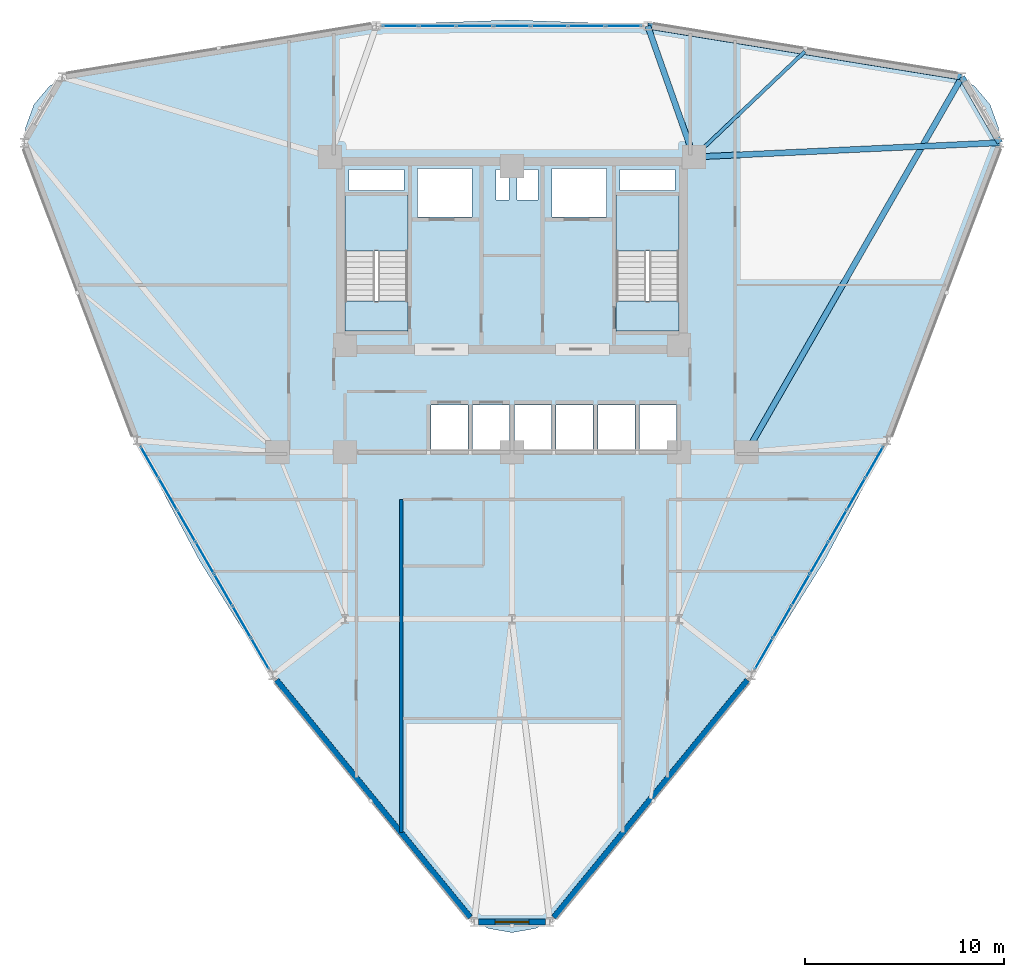
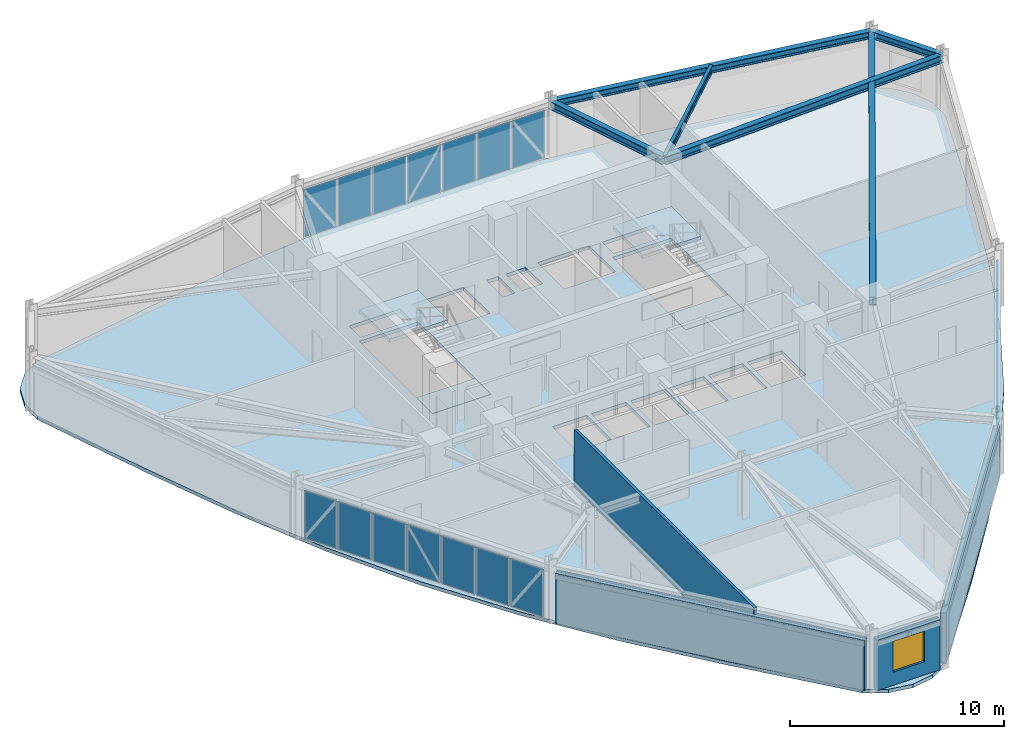
# One storey, part 9 of 17: 21 plates, 6 beams, 5 slabs, 4 walls, 1 window, 1 opening, 5 elements without a shape of their own.
"""IFC4 building model written with IfcOpenShell, lengths in metres."""

from ifc_helpers import new_model, si_unit, derived_unit, direction, frame, frame_2d, origin, origin_2d, place, context, subcontext, project, spatial, polyline, rectangle, i_section, outline, extrude, source, transform, mapped, material, layer, layer_set, material_profile, profile_set, type_object, element, fill, aggregate, save


model = new_model("IFC4")

# Units and contexts
model_context = context("Model", 3, precision=1e-05, world=origin(), true_north=direction((0.0, 1.0)))
body_context = subcontext(model_context, "Body", "Model", "MODEL_VIEW")
ifc_project = project(units=[si_unit("LENGTHUNIT", "METRE"), si_unit("AREAUNIT", "SQUARE_METRE"), si_unit("VOLUMEUNIT", "CUBIC_METRE"), si_unit("PLANEANGLEUNIT", "RADIAN"), si_unit("MASSUNIT", "GRAM", prefix="KILO"), derived_unit("THERMALTRANSMITTANCEUNIT", [(si_unit("POWERUNIT", "WATT"), 1), (si_unit("LENGTHUNIT", "METRE"), -2), (si_unit("THERMODYNAMICTEMPERATUREUNIT", "KELVIN"), -1)])], contexts=[model_context])

# Site, building, storey
site_placement = place(None, origin())
site = spatial("IfcSite", under=ifc_project, at=site_placement, CompositionType="ELEMENT")
building_placement = place(site_placement, origin())
building = spatial("IfcBuilding", under=site, at=building_placement, Name="Korsvarv Bourse and Concert Hall", CompositionType="ELEMENT")
storey_placement = place(building_placement, frame((0.0, 0.0, 127.800048828125)))
storey = spatial("IfcBuildingStorey", under=building, at=storey_placement, Name="L32", CompositionType="ELEMENT", Elevation=127.800048828125)

# Beams
ifc_material_1 = material(Name="Steel S355", Category="steel")
ifc_material_profile_1 = material_profile(ifc_material_1, i_section(OverallWidth=0.300048828125, OverallDepth=0.39990234375, WebThickness=0.013427734375, FlangeThickness=0.02392578125, FilletRadius=0.02099609375, at=origin_2d()), Name="HEB 400")
ifc_profile_set_1 = profile_set([ifc_material_profile_1], Name="Steel S355")
beam_type_1 = type_object("IfcBeamType", Name="BM-HEB400", PredefinedType="SPANDREL", material=ifc_profile_set_1)
shared_shape_1 = source(origin(), body_context, "Body", "SweptSolid", [
    extrude(i_section(OverallWidth=0.300048828125, OverallDepth=0.39990234375, WebThickness=0.013427734375, FlangeThickness=0.02392578125, FilletRadius=0.02099609375, at=origin_2d()), origin(), (0.0, 0.0, 1.0), 3.81591796875),
])
beam_1_placement = place(storey_placement, frame((60.541748046875, 47.966064453125, 3.06005859375), z_axis=(-0.499999364504, 0.866025770688, 0.0), x_axis=(-0.866025770688, -0.499999364504, 0.0)))
element("IfcBeam", 1, at=beam_1_placement, inside=storey, type_object=beam_type_1, Name="L32 beam B-09", PredefinedType="SPANDREL", context=body_context, shape_type="MappedRepresentation", body=[
    mapped(shared_shape_1, transform((0.0, 0.0, 0.0), scale=1.0)),
])
shared_shape_2 = source(origin(), body_context, "Body", "SweptSolid", [
    extrude(i_section(OverallWidth=0.300048828125, OverallDepth=0.39990234375, WebThickness=0.013427734375, FlangeThickness=0.02392578125, FilletRadius=0.02099609375, at=origin_2d()), origin(), (0.0, 0.0, 1.0), 16.014892578125),
])
beam_2_placement = place(storey_placement, frame((58.6337890625, 51.270751953125, 3.06005859375), z_axis=(-0.98703396265, 0.160511546547, 0.0), x_axis=(-0.160511546547, -0.98703396265, 0.0)))
element("IfcBeam", 2, at=beam_2_placement, inside=storey, type_object=beam_type_1, Name="L32 beam B-09", PredefinedType="SPANDREL", context=body_context, shape_type="MappedRepresentation", body=[
    mapped(shared_shape_2, transform((0.0, 0.0, 0.0), scale=1.0)),
])
ifc_material_profile_2 = material_profile(ifc_material_1, i_section(OverallWidth=0.300048828125, OverallDepth=0.449951171875, WebThickness=0.013916015625, FlangeThickness=0.02587890625, FilletRadius=0.02099609375, at=origin_2d()), Name="HEB 450")
ifc_profile_set_2 = profile_set([ifc_material_profile_2], Name="Steel S355")
beam_type_2 = type_object("IfcBeamType", Name="BM-HEB450", PredefinedType="SPANDREL", material=ifc_profile_set_2)
shared_shape_3 = source(origin(), body_context, "Body", "SweptSolid", [
    extrude(i_section(OverallWidth=0.300048828125, OverallDepth=0.449951171875, WebThickness=0.013916015625, FlangeThickness=0.02587890625, FilletRadius=0.02099609375, at=origin_2d()), origin(), (0.0, 0.0, 1.0), 15.408447265625),
])
beam_3_placement = place(storey_placement, frame((60.541748046875, 47.966064453125, 3.034912109375), z_axis=(-0.998919590077, -0.046472062141, 0.0), x_axis=(0.046472062141, -0.998919590077, 0.0)))
element("IfcBeam", 3, at=beam_3_placement, inside=storey, type_object=beam_type_2, Name="L32 beam B-08", PredefinedType="SPANDREL", context=body_context, shape_type="MappedRepresentation", body=[
    mapped(shared_shape_3, transform((0.0, 0.0, 0.0), scale=1.0)),
])
shared_shape_4 = source(origin(), body_context, "Body", "SweptSolid", [
    extrude(i_section(OverallWidth=0.300048828125, OverallDepth=0.449951171875, WebThickness=0.013916015625, FlangeThickness=0.02587890625, FilletRadius=0.02099609375, at=origin_2d()), origin(), (0.0, 0.0, 1.0), 21.759521484375),
])
beam_4_placement = place(storey_placement, frame((58.6337890625, 51.270751953125, 3.034912109375), z_axis=(-0.497883927271, -0.867243676809, 0.0), x_axis=(0.867243676809, -0.497883927271, 0.0)))
element("IfcBeam", 4, at=beam_4_placement, inside=storey, type_object=beam_type_2, Name="L32 beam B-08", PredefinedType="SPANDREL", context=body_context, shape_type="MappedRepresentation", body=[
    mapped(shared_shape_4, transform((0.0, 0.0, 0.0), scale=1.0)),
])
shared_shape_5 = source(origin(), body_context, "Body", "SweptSolid", [
    extrude(i_section(OverallWidth=0.300048828125, OverallDepth=0.449951171875, WebThickness=0.013916015625, FlangeThickness=0.02587890625, FilletRadius=0.02099609375, at=origin_2d()), origin(), (0.0, 0.0, 1.0), 6.98876953125),
])
beam_5_placement = place(storey_placement, frame((42.82666015625, 53.84130859375, 3.034912109375), z_axis=(0.332425395901, -0.943129554282, 0.0), x_axis=(0.943129554282, 0.332425395901, 0.0)))
element("IfcBeam", 5, at=beam_5_placement, inside=storey, type_object=beam_type_2, Name="L32 beam B-08", PredefinedType="SPANDREL", context=body_context, shape_type="MappedRepresentation", body=[
    mapped(shared_shape_5, transform((0.0, 0.0, 0.0), scale=1.0)),
])
ifc_material_profile_3 = material_profile(ifc_material_1, i_section(OverallWidth=0.179931640625, OverallDepth=0.39990234375, WebThickness=0.008544921875, FlangeThickness=0.013427734375, FilletRadius=0.02099609375, at=origin_2d()), Name="IPE 400")
ifc_profile_set_3 = profile_set([ifc_material_profile_3], Name="Steel S355")
beam_type_3 = type_object("IfcBeamType", Name="BM-IPE400", PredefinedType="JOIST", material=ifc_profile_set_3)
shared_shape_6 = source(origin(), body_context, "Body", "SweptSolid", [
    extrude(i_section(OverallWidth=0.179931640625, OverallDepth=0.39990234375, WebThickness=0.008544921875, FlangeThickness=0.013427734375, FilletRadius=0.02099609375, at=origin_2d()), origin(), (0.0, 0.0, 1.0), 7.7001953125),
])
beam_6_placement = place(storey_placement, frame((50.730224609375, 52.555908203125, 3.06005859375), z_axis=(-0.724700930446, -0.689063539458, 0.0), x_axis=(0.689063539458, -0.724700930446, 0.0)))
element("IfcBeam", 6, at=beam_6_placement, inside=storey, type_object=beam_type_3, Name="L32 beam J-05", PredefinedType="JOIST", context=body_context, shape_type="MappedRepresentation", body=[
    mapped(shared_shape_6, transform((0.0, 0.0, 0.0), scale=1.0)),
])

# Slabs
ifc_material_2 = material(Name="Precast concrete C45/55", Category="concrete")
ifc_layer_1 = layer(ifc_material_2, 0.199951171875)
ifc_layer_set_1 = layer_set([ifc_layer_1], Name="Precast concrete C45/55")
slab_type_1 = type_object("IfcSlabType", Name="SLB-FLND-T", PredefinedType="LANDING", material=ifc_layer_set_1)
slab_1_placement = place(storey_placement, frame((0.0, 0.0, -0.199951171875)))
element("IfcSlab", 7, at=slab_1_placement, inside=storey, type_object=slab_type_1, Name="L32 Stair ST-T1 Floor Landing Slab", PredefinedType="LANDING", context=body_context, shape_type="SweptSolid", body=[
    extrude(outline(polyline([(30.760009765625, 38.5), (30.760009765625, 40.0), (27.60009765625, 40.0), (27.60009765625, 38.5), (30.760009765625, 38.5)])), origin(), (0.0, 0.0, 1.0), 0.199951171875),
])
slab_2_placement = place(storey_placement, frame((0.0, 0.0, -0.199951171875)))
element("IfcSlab", 8, at=slab_2_placement, inside=storey, type_object=slab_type_1, Name="L32 Stair ST-T2 Floor Landing Slab", PredefinedType="LANDING", context=body_context, shape_type="SweptSolid", body=[
    extrude(outline(polyline([(44.39990234375, 38.5), (44.39990234375, 40.0), (41.239990234375, 40.0), (41.239990234375, 38.5), (44.39990234375, 38.5)])), origin(), (0.0, 0.0, 1.0), 0.199951171875),
])

# Stair, slab
stair_type = type_object("IfcStairType", Name="STR-TYPE-04", PredefinedType="HALF_TURN_STAIR", material=ifc_material_2)
stair_1_placement = place(storey_placement, origin())
stair_1 = element("IfcStair", 9, at=stair_1_placement, inside=storey, type_object=stair_type, Name="L32 Tower West Exit Stair ST-T1", PredefinedType="HALF_TURN_STAIR")
ifc_layer_2 = layer(ifc_material_2, 0.199951171875)
ifc_layer_set_2 = layer_set([ifc_layer_2], Name="Precast concrete C45/55")
slab_type_2 = type_object("IfcSlabType", Name="SLB-ST-LND", PredefinedType="LANDING", material=ifc_layer_set_2)
slab_3_placement = place(storey_placement, frame((0.0, 0.0, 1.599853515625)))
slab_3 = element("IfcSlab", 10, at=slab_3_placement, type_object=slab_type_2, Name="ST-T1 landing 1", PredefinedType="LANDING", context=body_context, shape_type="SweptSolid", body=[
    extrude(outline(polyline([(30.760009765625, 42.52001953125), (30.760009765625, 45.300048828125), (27.60009765625, 45.300048828125), (27.60009765625, 42.52001953125), (30.760009765625, 42.52001953125)])), origin(), (0.0, 0.0, 1.0), 0.2001953125),
])
aggregate(stair_1, [slab_3])

stair_2_placement = place(storey_placement, origin())
stair_2 = element("IfcStair", 11, at=stair_2_placement, inside=storey, type_object=stair_type, Name="L32 Tower East Exit Stair ST-T2", PredefinedType="HALF_TURN_STAIR")
slab_4_placement = place(storey_placement, frame((0.0, 0.0, 1.599853515625)))
slab_4 = element("IfcSlab", 12, at=slab_4_placement, type_object=slab_type_2, Name="ST-T2 landing 1", PredefinedType="LANDING", context=body_context, shape_type="SweptSolid", body=[
    extrude(outline(polyline([(44.39990234375, 42.52001953125), (44.39990234375, 45.300048828125), (41.239990234375, 45.300048828125), (41.239990234375, 42.52001953125), (44.39990234375, 42.52001953125)])), origin(), (0.0, 0.0, 1.0), 0.2001953125),
])
aggregate(stair_2, [slab_4])

# Slab
ifc_material_3 = material(Name="Concrete C45/55", Category="concrete")
ifc_layer_3 = layer(ifc_material_3, 0.199951171875)
ifc_layer_set_3 = layer_set([ifc_layer_3], Name="Concrete C45/55")
slab_type_3 = type_object("IfcSlabType", Name="SLB-TW2", PredefinedType="FLOOR", material=ifc_layer_set_3)
slab_5_placement = place(storey_placement, frame((0.0, 0.0, -0.199951171875)))
element("IfcSlab", 13, at=slab_5_placement, inside=storey, type_object=slab_type_3, Name="L32 tower structural floor slab", PredefinedType="FLOOR", context=body_context, shape_type="SweptSolid", body=[
    extrude(outline(polyline([(59.994140625, 46.2314453125), (58.197265625, 41.2158203125), (56.282958984375, 36.29345703125), (54.14501953125, 31.52001953125), (51.7109375, 26.92919921875), (48.9521484375, 22.52587890625), (45.887451171875, 18.287841796875), (42.58154296875, 14.168701171875), (39.13623046875, 10.104736328125), (39.133544921875, 10.101318359375), (38.251708984375, 9.050537109375), (37.197998046875, 8.442138671875), (36.0, 8.23095703125), (34.802001953125, 8.442138671875), (33.748291015625, 9.050537109375), (32.866455078125, 10.101318359375), (32.86376953125, 10.104736328125), (29.41845703125, 14.168701171875), (26.112548828125, 18.287841796875), (23.0478515625, 22.52587890625), (20.2890625, 26.92919921875), (17.85498046875, 31.52001953125), (15.717041015625, 36.29345703125), (13.802734375, 41.2158203125), (12.005859375, 46.2314453125), (12.00439453125, 46.235595703125), (11.53515625, 47.524658203125), (11.53515625, 48.7412109375), (11.951416015625, 49.884521484375), (12.7333984375, 50.81640625), (13.786865234375, 51.4248046875), (15.1376953125, 51.6630859375), (15.14208984375, 51.663818359375), (20.384521484375, 52.615478515625), (25.6044921875, 53.4189453125), (30.807373046875, 53.953857421875), (36.0, 54.141357421875), (41.192626953125, 53.953857421875), (46.3955078125, 53.4189453125), (51.615478515625, 52.615478515625), (56.85791015625, 51.663818359375), (56.8623046875, 51.6630859375), (58.213134765625, 51.4248046875), (59.2666015625, 50.81640625), (60.048583984375, 49.884521484375), (60.46484375, 48.7412109375), (60.46484375, 47.524658203125), (59.99560546875, 46.235595703125), (59.994140625, 46.2314453125)]), holes=[polyline([(30.760009765625, 38.5), (30.760009765625, 45.300048828125), (27.60009765625, 45.300048828125), (27.60009765625, 38.5), (30.760009765625, 38.5)]), polyline([(44.39990234375, 38.5), (44.39990234375, 45.300048828125), (41.239990234375, 45.300048828125), (41.239990234375, 38.5), (44.39990234375, 38.5)]), polyline([(31.239990234375, 44.219970703125), (34.0, 44.219970703125), (34.0, 46.679931640625), (31.239990234375, 46.679931640625), (31.239990234375, 44.219970703125)]), polyline([(38.0, 44.219970703125), (40.760009765625, 44.219970703125), (40.760009765625, 46.679931640625), (38.0, 46.679931640625), (38.0, 44.219970703125)]), polyline([(31.919921875, 32.52001953125), (33.780029296875, 32.52001953125), (33.780029296875, 34.780029296875), (31.919921875, 34.780029296875), (31.919921875, 32.52001953125)]), polyline([(34.02001953125, 32.52001953125), (35.8798828125, 32.52001953125), (35.8798828125, 34.780029296875), (34.02001953125, 34.780029296875), (34.02001953125, 32.52001953125)]), polyline([(36.1201171875, 32.52001953125), (37.97998046875, 32.52001953125), (37.97998046875, 34.780029296875), (36.1201171875, 34.780029296875), (36.1201171875, 32.52001953125)]), polyline([(38.219970703125, 32.52001953125), (40.080078125, 32.52001953125), (40.080078125, 34.780029296875), (38.219970703125, 34.780029296875), (38.219970703125, 32.52001953125)]), polyline([(40.320068359375, 32.52001953125), (42.179931640625, 32.52001953125), (42.179931640625, 34.780029296875), (40.320068359375, 34.780029296875), (40.320068359375, 32.52001953125)]), polyline([(42.419921875, 32.52001953125), (44.280029296875, 32.52001953125), (44.280029296875, 34.780029296875), (42.419921875, 34.780029296875), (42.419921875, 32.52001953125)]), polyline([(27.800048828125, 45.56005859375), (30.56005859375, 45.56005859375), (30.56005859375, 46.6201171875), (27.800048828125, 46.6201171875), (27.800048828125, 45.56005859375)]), polyline([(41.43994140625, 45.56005859375), (44.199951171875, 45.56005859375), (44.199951171875, 46.6201171875), (41.43994140625, 46.6201171875), (41.43994140625, 45.56005859375)]), polyline([(35.199951171875, 45.080078125), (35.840087890625, 45.080078125), (35.840087890625, 46.6201171875), (35.199951171875, 46.6201171875), (35.199951171875, 45.080078125)]), polyline([(36.239990234375, 45.080078125), (37.320068359375, 45.080078125), (37.320068359375, 46.6201171875), (36.239990234375, 46.6201171875), (36.239990234375, 45.080078125)])]), origin(), (0.0, 0.0, 1.0), 0.199951171875),
])

# Curtain wall, plates
ifc_material_4 = material(Name="Anodised aluminium and triple low-E glazing", Category="glass")
ifc_layer_4 = layer(ifc_material_4, 0.2099609375)
ifc_layer_set_4 = layer_set([ifc_layer_4], Name="Anodised aluminium and triple low-E glazing")
curtain_wall_type = type_object("IfcCurtainWallType", Name="CW-SYS-2", PredefinedType="NOTDEFINED", material=ifc_layer_set_4)
curtain_wall_1_placement = place(storey_placement, origin())
curtain_wall_1 = element("IfcCurtainWall", 14, at=curtain_wall_1_placement, inside=storey, type_object=curtain_wall_type, Name="L32 CW2 curtain wall CW-L32-F03", PredefinedType="NOTDEFINED")
ifc_material_5 = material(Name="Insulated spandrel glass", Category="glass")
ifc_layer_5 = layer(ifc_material_5, 0.031982421875)
ifc_layer_set_5 = layer_set([ifc_layer_5], Name="Insulated spandrel glass")
plate_type_1 = type_object("IfcPlateType", Name="CWP-SPD1", PredefinedType="CURTAIN_PANEL", material=ifc_layer_set_5)
shared_shape_7 = source(origin(), body_context, "Body", "SweptSolid", [
    extrude(rectangle(XDim=1.771484375, YDim=0.031982421875, at=origin_2d()), origin(), (0.0, 0.0, 1.0), 2.72998046875),
])
plate_1_placement = place(storey_placement, frame((41.612060546875, 53.84130859375, 0.06494140625), z_axis=(0.0, 0.0, 1.0), x_axis=(-1.0, 0.0, 0.0)))
plate_1 = element("IfcPlate", 15, at=plate_1_placement, type_object=plate_type_1, Name="CW2 spandrel shadow-box panel 1.1", PredefinedType="CURTAIN_PANEL", context=body_context, shape_type="MappedRepresentation", body=[
    mapped(shared_shape_7, transform((0.0, 0.0, 0.0), scale=1.0)),
])
plate_2_placement = place(storey_placement, frame((30.387939453125, 53.84130859375, 0.06494140625), z_axis=(0.0, 0.0, 1.0), x_axis=(-1.0, 0.0, 0.0)))
plate_2 = element("IfcPlate", 16, at=plate_2_placement, type_object=plate_type_1, Name="CW2 spandrel shadow-box panel 7.1", PredefinedType="CURTAIN_PANEL", context=body_context, shape_type="MappedRepresentation", body=[
    mapped(shared_shape_7, transform((0.0, 0.0, 0.0), scale=1.0)),
])
ifc_material_6 = material(Name="Tempered triple insulated low-E architectural glass", Category="glass")
ifc_layer_6 = layer(ifc_material_6, 0.0380859375)
ifc_layer_set_6 = layer_set([ifc_layer_6], Name="Tempered triple insulated low-E architectural glass")
plate_type_2 = type_object("IfcPlateType", Name="CWP-VIS2", PredefinedType="CURTAIN_PANEL", material=ifc_layer_set_6)
shared_shape_8 = source(origin(), body_context, "Body", "SweptSolid", [
    extrude(rectangle(XDim=1.806396484375, YDim=0.0380859375, at=origin_2d()), origin(), (0.0, 0.0, 1.0), 2.72998046875),
])
plate_3_placement = place(storey_placement, frame((39.7529296875, 53.84130859375, 0.06494140625), z_axis=(0.0, 0.0, 1.0), x_axis=(-1.0, 0.0, 0.0)))
plate_3 = element("IfcPlate", 17, at=plate_3_placement, type_object=plate_type_2, Name="CW2 faceted panel 2.1", PredefinedType="CURTAIN_PANEL", context=body_context, shape_type="MappedRepresentation", body=[
    mapped(shared_shape_8, transform((0.0, 0.0, 0.0), scale=1.0)),
])
plate_4_placement = place(storey_placement, frame((37.87646484375, 53.84130859375, 0.06494140625), z_axis=(0.0, 0.0, 1.0), x_axis=(-1.0, 0.0, 0.0)))
plate_4 = element("IfcPlate", 18, at=plate_4_placement, type_object=plate_type_2, Name="CW2 faceted panel 3.1", PredefinedType="CURTAIN_PANEL", context=body_context, shape_type="MappedRepresentation", body=[
    mapped(shared_shape_8, transform((0.0, 0.0, 0.0), scale=1.0)),
])
plate_5_placement = place(storey_placement, frame((34.12353515625, 53.84130859375, 0.06494140625), z_axis=(0.0, 0.0, 1.0), x_axis=(-1.0, 0.0, 0.0)))
plate_5 = element("IfcPlate", 19, at=plate_5_placement, type_object=plate_type_2, Name="CW2 faceted panel 5.1", PredefinedType="CURTAIN_PANEL", context=body_context, shape_type="MappedRepresentation", body=[
    mapped(shared_shape_8, transform((0.0, 0.0, 0.0), scale=1.0)),
])
plate_6_placement = place(storey_placement, frame((32.2470703125, 53.84130859375, 0.06494140625), z_axis=(0.0, 0.0, 1.0), x_axis=(-1.0, 0.0, 0.0)))
plate_6 = element("IfcPlate", 20, at=plate_6_placement, type_object=plate_type_2, Name="CW2 faceted panel 6.1", PredefinedType="CURTAIN_PANEL", context=body_context, shape_type="MappedRepresentation", body=[
    mapped(shared_shape_8, transform((0.0, 0.0, 0.0), scale=1.0)),
])
shared_shape_9 = source(origin(), body_context, "Body", "SweptSolid", [
    extrude(rectangle(XDim=1.806396484375, YDim=0.031982421875, at=origin_2d()), origin(), (0.0, 0.0, 1.0), 2.72998046875),
])
plate_7_placement = place(storey_placement, frame((36.0, 53.84130859375, 0.06494140625), z_axis=(0.0, 0.0, 1.0), x_axis=(-1.0, 0.0, 0.0)))
plate_7 = element("IfcPlate", 21, at=plate_7_placement, type_object=plate_type_1, Name="CW2 spandrel shadow-box panel 4.1", PredefinedType="CURTAIN_PANEL", context=body_context, shape_type="MappedRepresentation", body=[
    mapped(shared_shape_9, transform((0.0, 0.0, 0.0), scale=1.0)),
])
aggregate(curtain_wall_1, [plate_1, plate_3, plate_4, plate_7, plate_5, plate_6, plate_2])

curtain_wall_2_placement = place(storey_placement, origin())
curtain_wall_2 = element("IfcCurtainWall", 22, at=curtain_wall_2_placement, inside=storey, type_object=curtain_wall_type, Name="L32 CW2 curtain wall CW-L32-F07", PredefinedType="NOTDEFINED")
shared_shape_10 = source(origin(), body_context, "Body", "SweptSolid", [
    extrude(rectangle(XDim=1.75390625, YDim=0.031982421875, at=origin_2d()), origin(), (0.0, 0.0, 1.0), 2.72998046875),
])
plate_8_placement = place(storey_placement, frame((17.769287109375, 31.893798828125, 0.06494140625), z_axis=(0.0, 0.0, 1.0), x_axis=(0.500007166863, -0.866021265954, 0.0)))
plate_8 = element("IfcPlate", 23, at=plate_8_placement, type_object=plate_type_1, Name="CW2 spandrel shadow-box panel 1.1", PredefinedType="CURTAIN_PANEL", context=body_context, shape_type="MappedRepresentation", body=[
    mapped(shared_shape_10, transform((0.0, 0.0, 0.0), scale=1.0)),
])
plate_9_placement = place(storey_placement, frame((23.328857421875, 22.264892578125, 0.06494140625), z_axis=(0.0, 0.0, 1.0), x_axis=(0.500007166863, -0.866021265954, 0.0)))
plate_9 = element("IfcPlate", 24, at=plate_9_placement, type_object=plate_type_1, Name="CW2 spandrel shadow-box panel 7.1", PredefinedType="CURTAIN_PANEL", context=body_context, shape_type="MappedRepresentation", body=[
    mapped(shared_shape_10, transform((0.0, 0.0, 0.0), scale=1.0)),
])

curtain_wall_3_placement = place(storey_placement, origin())
curtain_wall_3 = element("IfcCurtainWall", 25, at=curtain_wall_3_placement, inside=storey, type_object=curtain_wall_type, Name="L32 CW2 curtain wall CW-L32-F11", PredefinedType="NOTDEFINED")
plate_10_placement = place(storey_placement, frame((48.671142578125, 22.264892578125, 0.06494140625), z_axis=(0.0, 0.0, 1.0), x_axis=(0.500007166863, 0.866021265954, 0.0)))
plate_10 = element("IfcPlate", 26, at=plate_10_placement, type_object=plate_type_1, Name="CW2 spandrel shadow-box panel 1.1", PredefinedType="CURTAIN_PANEL", context=body_context, shape_type="MappedRepresentation", body=[
    mapped(shared_shape_10, transform((0.0, 0.0, 0.0), scale=1.0)),
])
plate_11_placement = place(storey_placement, frame((54.230712890625, 31.893798828125, 0.06494140625), z_axis=(0.0, 0.0, 1.0), x_axis=(0.500007166863, 0.866021265954, 0.0)))
plate_11 = element("IfcPlate", 27, at=plate_11_placement, type_object=plate_type_1, Name="CW2 spandrel shadow-box panel 7.1", PredefinedType="CURTAIN_PANEL", context=body_context, shape_type="MappedRepresentation", body=[
    mapped(shared_shape_10, transform((0.0, 0.0, 0.0), scale=1.0)),
])

# Plate
shared_shape_11 = source(origin(), body_context, "Body", "SweptSolid", [
    extrude(rectangle(XDim=1.7890625, YDim=0.0380859375, at=origin_2d()), origin(), (0.0, 0.0, 1.0), 2.72998046875),
])
plate_12_placement = place(storey_placement, frame((18.690185546875, 30.299072265625, 0.06494140625), z_axis=(0.0, 0.0, 1.0), x_axis=(0.500007166863, -0.866021265954, 0.0)))
plate_12 = element("IfcPlate", 28, at=plate_12_placement, type_object=plate_type_2, Name="CW2 faceted panel 2.1", PredefinedType="CURTAIN_PANEL", context=body_context, shape_type="MappedRepresentation", body=[
    mapped(shared_shape_11, transform((0.0, 0.0, 0.0), scale=1.0)),
])

plate_13_placement = place(storey_placement, frame((19.61962890625, 28.689208984375, 0.06494140625), z_axis=(0.0, 0.0, 1.0), x_axis=(0.500007166863, -0.866021265954, 0.0)))
plate_13 = element("IfcPlate", 29, at=plate_13_placement, type_object=plate_type_2, Name="CW2 faceted panel 3.1", PredefinedType="CURTAIN_PANEL", context=body_context, shape_type="MappedRepresentation", body=[
    mapped(shared_shape_11, transform((0.0, 0.0, 0.0), scale=1.0)),
])

plate_14_placement = place(storey_placement, frame((21.478515625, 25.469482421875, 0.06494140625), z_axis=(0.0, 0.0, 1.0), x_axis=(0.500007166863, -0.866021265954, 0.0)))
plate_14 = element("IfcPlate", 30, at=plate_14_placement, type_object=plate_type_2, Name="CW2 faceted panel 5.1", PredefinedType="CURTAIN_PANEL", context=body_context, shape_type="MappedRepresentation", body=[
    mapped(shared_shape_11, transform((0.0, 0.0, 0.0), scale=1.0)),
])

plate_15_placement = place(storey_placement, frame((22.407958984375, 23.859619140625, 0.06494140625), z_axis=(0.0, 0.0, 1.0), x_axis=(0.500007166863, -0.866021265954, 0.0)))
plate_15 = element("IfcPlate", 31, at=plate_15_placement, type_object=plate_type_2, Name="CW2 faceted panel 6.1", PredefinedType="CURTAIN_PANEL", context=body_context, shape_type="MappedRepresentation", body=[
    mapped(shared_shape_11, transform((0.0, 0.0, 0.0), scale=1.0)),
])

plate_16_placement = place(storey_placement, frame((49.592041015625, 23.859619140625, 0.06494140625), z_axis=(0.0, 0.0, 1.0), x_axis=(0.500007166863, 0.866021265954, 0.0)))
plate_16 = element("IfcPlate", 32, at=plate_16_placement, type_object=plate_type_2, Name="CW2 faceted panel 2.1", PredefinedType="CURTAIN_PANEL", context=body_context, shape_type="MappedRepresentation", body=[
    mapped(shared_shape_11, transform((0.0, 0.0, 0.0), scale=1.0)),
])

plate_17_placement = place(storey_placement, frame((50.521484375, 25.469482421875, 0.06494140625), z_axis=(0.0, 0.0, 1.0), x_axis=(0.500007166863, 0.866021265954, 0.0)))
plate_17 = element("IfcPlate", 33, at=plate_17_placement, type_object=plate_type_2, Name="CW2 faceted panel 3.1", PredefinedType="CURTAIN_PANEL", context=body_context, shape_type="MappedRepresentation", body=[
    mapped(shared_shape_11, transform((0.0, 0.0, 0.0), scale=1.0)),
])

plate_18_placement = place(storey_placement, frame((52.38037109375, 28.689208984375, 0.06494140625), z_axis=(0.0, 0.0, 1.0), x_axis=(0.500007166863, 0.866021265954, 0.0)))
plate_18 = element("IfcPlate", 34, at=plate_18_placement, type_object=plate_type_2, Name="CW2 faceted panel 5.1", PredefinedType="CURTAIN_PANEL", context=body_context, shape_type="MappedRepresentation", body=[
    mapped(shared_shape_11, transform((0.0, 0.0, 0.0), scale=1.0)),
])

plate_19_placement = place(storey_placement, frame((53.309814453125, 30.299072265625, 0.06494140625), z_axis=(0.0, 0.0, 1.0), x_axis=(0.500007166863, 0.866021265954, 0.0)))
plate_19 = element("IfcPlate", 35, at=plate_19_placement, type_object=plate_type_2, Name="CW2 faceted panel 6.1", PredefinedType="CURTAIN_PANEL", context=body_context, shape_type="MappedRepresentation", body=[
    mapped(shared_shape_11, transform((0.0, 0.0, 0.0), scale=1.0)),
])

shared_shape_12 = source(origin(), body_context, "Body", "SweptSolid", [
    extrude(rectangle(XDim=1.7890625, YDim=0.031982421875, at=origin_2d()), origin(), (0.0, 0.0, 1.0), 2.72998046875),
])
plate_20_placement = place(storey_placement, frame((20.549072265625, 27.079345703125, 0.06494140625), z_axis=(0.0, 0.0, 1.0), x_axis=(0.500007166863, -0.866021265954, 0.0)))
plate_20 = element("IfcPlate", 36, at=plate_20_placement, type_object=plate_type_1, Name="CW2 spandrel shadow-box panel 4.1", PredefinedType="CURTAIN_PANEL", context=body_context, shape_type="MappedRepresentation", body=[
    mapped(shared_shape_12, transform((0.0, 0.0, 0.0), scale=1.0)),
])

aggregate(curtain_wall_2, [plate_8, plate_12, plate_13, plate_20, plate_14, plate_15, plate_9])

plate_21_placement = place(storey_placement, frame((51.450927734375, 27.079345703125, 0.06494140625), z_axis=(0.0, 0.0, 1.0), x_axis=(0.500007166863, 0.866021265954, 0.0)))
plate_21 = element("IfcPlate", 37, at=plate_21_placement, type_object=plate_type_1, Name="CW2 spandrel shadow-box panel 4.1", PredefinedType="CURTAIN_PANEL", context=body_context, shape_type="MappedRepresentation", body=[
    mapped(shared_shape_12, transform((0.0, 0.0, 0.0), scale=1.0)),
])

aggregate(curtain_wall_3, [plate_10, plate_16, plate_17, plate_21, plate_18, plate_19, plate_11])

# Wall, opening, window
ifc_material_7 = material(Name="Precast concrete C45/55 with terracotta rainscreen", Category="concrete")
ifc_layer_7 = layer(ifc_material_7, 0.300048828125)
ifc_layer_set_7 = layer_set([ifc_layer_7], Name="Precast concrete C45/55 with terracotta rainscreen")
wall_type_1 = type_object("IfcWallType", Name="WL-EXT-TC1", PredefinedType="SOLIDWALL", material=ifc_layer_set_7)
wall_1_placement = place(storey_placement, frame((34.305908203125, 8.76318359375, 0.0), z_axis=(0.0, 0.0, 1.0), x_axis=(1.0, 0.0, 0.0)))
wall_1 = element("IfcWall", 38, at=wall_1_placement, inside=storey, type_object=wall_type_1, Name="L32 terracotta exterior wall EW-L32-B09", PredefinedType="SOLIDWALL", context=body_context, shape_type="SweptSolid", body=[
    extrude(rectangle(XDim=3.38818359375, YDim=0.300048828125, at=frame_2d((1.694091796875, 0.0))), origin(), (0.0, 0.0, 1.0), 2.85986328125),
])
opening_placement = place(wall_1_placement, frame((0.843994140625, 0.0, 0.75)))
opening = element("IfcOpeningElement", 39, at=opening_placement, cuts=wall_1, Name="Opening W-01", PredefinedType="OPENING", context=body_context, shape_type="SweptSolid", body=[
    extrude(rectangle(XDim=1.699951171875, YDim=1.75, at=frame_2d((0.85009765625, 0.875))), frame((0.0, 0.16015625, 0.0), z_axis=(0.0, -1.0, 0.0), x_axis=(1.0, 0.0, 0.0)), (0.0, 0.0, 1.0), 0.320068359375),
])
ifc_material_8 = material(Name="Thermally broken aluminium frame with triple low-E glass", Category="glass")
window_type = type_object("IfcWindowType", Name="WIN-TW1", PartitioningType="SINGLE_PANEL", PredefinedType="WINDOW", material=ifc_material_8)
window_placement = place(opening_placement, origin())
window = element("IfcWindow", 40, at=window_placement, inside=storey, type_object=window_type, Name="L32 punched facade window W-01", OverallHeight=1.75, OverallWidth=1.699951171875, PartitioningType="SINGLE_PANEL", PredefinedType="WINDOW", context=body_context, shape_type="SweptSolid", body=[
    extrude(rectangle(XDim=1.699951171875, YDim=1.75, at=frame_2d((0.85009765625, 0.875))), frame((0.0, 0.030029296875, 0.0), z_axis=(0.0, -1.0, 0.0), x_axis=(1.0, 0.0, 0.0)), (0.0, 0.0, 1.0), 0.06005859375),
])
fill(opening, window)

# Walls
ifc_material_9 = material(Name="Precast concrete C45/55 with fluted terracotta pier", Category="concrete")
ifc_layer_8 = layer(ifc_material_9, 0.280029296875)
ifc_layer_set_8 = layer_set([ifc_layer_8], Name="Precast concrete C45/55 with fluted terracotta pier")
wall_type_2 = type_object("IfcWallType", Name="WL-EXT-TC2", PredefinedType="SOLIDWALL", material=ifc_layer_set_8)
for number, where, z_axis, x_axis, name in (
    (41, (24.15234375, 20.934814453125, 0.0), (0.0, 0.0, 1.0), (0.632511291832, -0.774551138211, 0.0), "L32 terracotta exterior wall EW-L32-B08"),
    (42, (38.097900390625, 8.99560546875, 0.0), (0.0, 0.0, 1.0), (0.632511291832, 0.774551138211, 0.0), "L32 terracotta exterior wall EW-L32-B10"),
):
    element("IfcWall", number, at=place(storey_placement, frame(where, z_axis=z_axis, x_axis=x_axis)), inside=storey, type_object=wall_type_2, Name=name, PredefinedType="SOLIDWALL", context=body_context, shape_type="SweptSolid", body=[
        extrude(rectangle(XDim=15.414306640625, YDim=0.280029296875, at=frame_2d((7.70703125, 0.0))), origin(), (0.0, 0.0, 1.0), 2.85986328125),
    ])
ifc_material_10 = material(Name="Double-stud fire-rated acoustic partition", Category="gypsum")
ifc_layer_9 = layer(ifc_material_10, 0.159912109375)
ifc_layer_set_9 = layer_set([ifc_layer_9], Name="Double-stud fire-rated acoustic partition")
wall_type_3 = type_object("IfcWallType", Name="WL-INT-EI60", PredefinedType="PARTITIONING", material=ifc_layer_set_9)
wall_2_placement = place(storey_placement, frame((30.425048828125, 13.273681640625, 0.0), z_axis=(0.0, 0.0, 1.0), x_axis=(0.0, 1.0, 0.0)))
element("IfcWall", 43, at=wall_2_placement, inside=storey, type_object=wall_type_3, Name="L32 interior partition wall W-L32-TCOR-04", PredefinedType="PARTITIONING", context=body_context, shape_type="SweptSolid", body=[
    extrude(rectangle(XDim=16.75634765625, YDim=0.159912109375, at=frame_2d((8.378173828125, 0.0))), origin(), (0.0, 0.0, 1.0), 3.260009765625),
])

save(model, "model.ifc")
